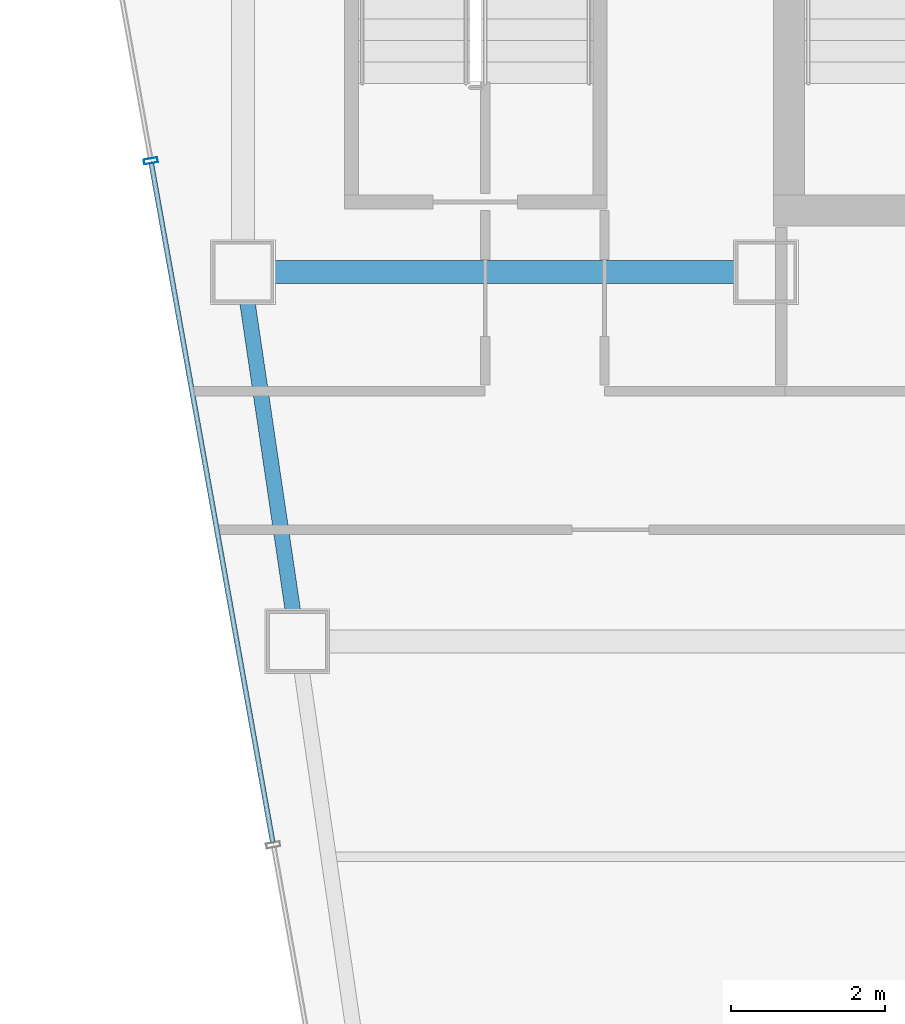
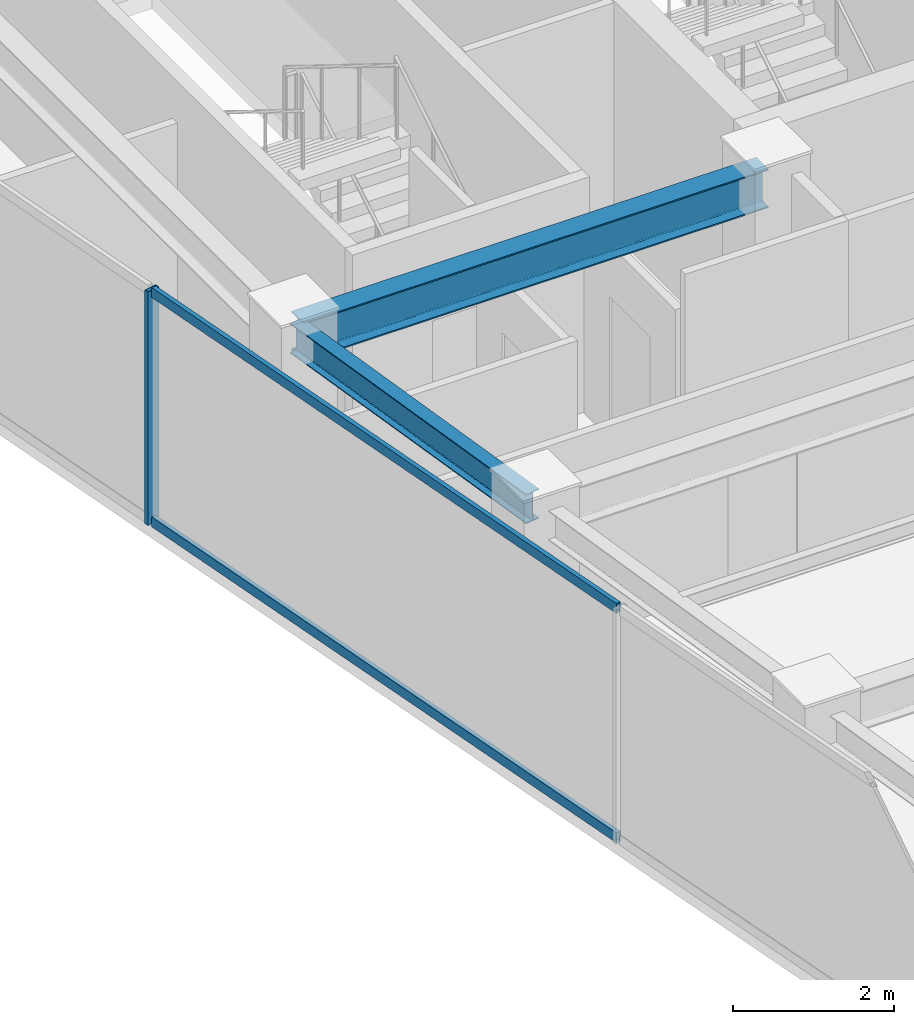
# One storey, part 9 of 32: 3 members, 2 beams, 1 element without a shape of its own.
"""IFC4 building model written with IfcOpenShell, lengths in metres."""

from ifc_helpers import new_model, si_unit, direction, frame, origin, origin_2d, place, context, subcontext, project, spatial, hollow_rectangle, i_section, extrude, material, material_profile, profile_set, type_object, element, aggregate, save


model = new_model("IFC4")

# Units and contexts
model_context = context("Model", 3, precision=1e-05, world=origin(), true_north=direction((0.0, 1.0)))
body_context = subcontext(model_context, "Body", "Model", "MODEL_VIEW")
ifc_project = project(units=[si_unit("LENGTHUNIT", "METRE"), si_unit("AREAUNIT", "SQUARE_METRE"), si_unit("VOLUMEUNIT", "CUBIC_METRE"), si_unit("PLANEANGLEUNIT", "RADIAN"), si_unit("MASSUNIT", "GRAM", prefix="KILO")], contexts=[model_context])

# Site, building, storey
site_placement = place(None, origin())
site = spatial("IfcSite", under=ifc_project, at=site_placement, CompositionType="ELEMENT")
building_placement = place(site_placement, origin())
building = spatial("IfcBuilding", under=site, at=building_placement, Name="Saevonmaru Cultural Tower", CompositionType="ELEMENT")
storey_placement = place(building_placement, frame((0.0, 0.0, 257.199951171875)))
storey = spatial("IfcBuildingStorey", under=building, at=storey_placement, Name="L60", CompositionType="ELEMENT", Elevation=257.199951171875)

# Beams
ifc_material_1 = material(Name="Steel SM355", Category="steel")
ifc_material_profile_1 = material_profile(ifc_material_1, i_section(OverallWidth=0.300048828125, OverallDepth=0.587890625, WebThickness=0.011962890625, FlangeThickness=0.02001953125, FilletRadius=0.02392578125, at=origin_2d()), Name="H-588x300x12x20")
ifc_profile_set_1 = profile_set([ifc_material_profile_1], Name="Steel SM355")
beam_type_1 = type_object("IfcBeamType", Name="BM-G-H588", PredefinedType="BEAM", material=ifc_profile_set_1)
beam_1_placement = place(storey_placement, frame((6.860107421875, 42.39990234375, 3.256103515625), z_axis=(1.0, 0.0, 0.0), x_axis=(0.0, 1.0, 0.0)))
element("IfcBeam", 1, at=beam_1_placement, inside=storey, type_object=beam_type_1, Name="L60 Core South Girder 1", PredefinedType="BEAM", context=body_context, shape_type="SweptSolid", body=[
    extrude(i_section(OverallWidth=0.300048828125, OverallDepth=0.587890625, WebThickness=0.011962890625, FlangeThickness=0.02001953125, FilletRadius=0.02392578125, at=origin_2d()), origin(), (0.0, 0.0, 1.0), 6.679931640625),
])
ifc_material_profile_2 = material_profile(ifc_material_1, i_section(OverallWidth=0.199951171875, OverallDepth=0.449951171875, WebThickness=0.009033203125, FlangeThickness=0.013916015625, FilletRadius=0.01806640625, at=origin_2d()), Name="H-450x200x9x14")
ifc_profile_set_2 = profile_set([ifc_material_profile_2], Name="Steel SM355")
beam_type_2 = type_object("IfcBeamType", Name="BM-SP-H450", PredefinedType="SPANDREL", material=ifc_profile_set_2)
beam_2_placement = place(storey_placement, frame((7.499267578125, 37.659423828125, 3.324951171875), z_axis=(-0.145912860028, 0.989297446312, 0.0), x_axis=(-0.989297446312, -0.145912860028, 0.0)))
element("IfcBeam", 2, at=beam_2_placement, inside=storey, type_object=beam_type_2, Name="L60 West Splayed Spandrel 3", PredefinedType="SPANDREL", context=body_context, shape_type="SweptSolid", body=[
    extrude(i_section(OverallWidth=0.199951171875, OverallDepth=0.449951171875, WebThickness=0.009033203125, FlangeThickness=0.013916015625, FilletRadius=0.01806640625, at=origin_2d()), origin(), (0.0, 0.0, 1.0), 4.731689453125),
])

# Curtain wall, members
ifc_material_2 = material(Name="Satin Bronze Anodised Aluminium", Category="aluminium")
curtain_wall_type = type_object("IfcCurtainWallType", Name="CW-TYP-B", PredefinedType="NOTDEFINED", material=ifc_material_2)
curtain_wall_placement = place(storey_placement, origin())
curtain_wall = element("IfcCurtainWall", 3, at=curtain_wall_placement, inside=storey, type_object=curtain_wall_type, Name="L60 Unitised Curtain Wall E12", PredefinedType="NOTDEFINED")
ifc_material_profile_3 = material_profile(ifc_material_2, hollow_rectangle(XDim=0.06494140625, YDim=0.179931640625, WallThickness=0.00390625, at=origin_2d()), Name="ALU-MULL-180x65x4")
ifc_profile_set_3 = profile_set([ifc_material_profile_3], Name="Satin Bronze Anodised Aluminium")
member_type_1 = type_object("IfcMemberType", Name="ML-CW-180x65", PredefinedType="MULLION", material=ifc_profile_set_3)
member_1_placement = place(storey_placement, frame((5.60205078125, 43.846923828125, 0.0), z_axis=(0.0, 0.0, 1.0), x_axis=(0.176140740755, -0.984364993001, 0.0)))
member_1 = element("IfcMember", 4, at=member_1_placement, type_object=member_type_1, Name="CW-TW-L60-E12 mullion 2", PredefinedType="MULLION", context=body_context, shape_type="SweptSolid", body=[
    extrude(hollow_rectangle(XDim=0.06494140625, YDim=0.179931640625, WallThickness=0.00390625, at=origin_2d()), origin(), (0.0, 0.0, 1.0), 3.550048828125),
])
ifc_material_profile_4 = material_profile(ifc_material_2, hollow_rectangle(XDim=0.06494140625, YDim=0.14990234375, WallThickness=0.00390625, at=origin_2d()), Name="ALU-TRAN-150x65x4")
ifc_profile_set_4 = profile_set([ifc_material_profile_4], Name="Satin Bronze Anodised Aluminium")
member_type_2 = type_object("IfcMemberType", Name="TR-CW-150x65", PredefinedType="USERDEFINED", material=ifc_profile_set_4)
member_2_placement = place(storey_placement, frame((5.60791015625, 43.81494140625, 0.032470703125), z_axis=(0.176123157264, -0.984368139202, 0.0), x_axis=(0.984368139202, 0.176123157264, 0.0)))
member_2 = element("IfcMember", 5, at=member_2_placement, type_object=member_type_2, Name="CW-TW-L60-E12 transom 2.1", ObjectType="TRANSOM", PredefinedType="USERDEFINED", context=body_context, shape_type="SweptSolid", body=[
    extrude(hollow_rectangle(XDim=0.06494140625, YDim=0.14990234375, WallThickness=0.00390625, at=origin_2d()), origin(), (0.0, 0.0, 1.0), 8.969970703125),
])
member_3_placement = place(storey_placement, frame((5.60791015625, 43.81494140625, 3.517578125), z_axis=(0.176123157264, -0.984368139202, 0.0), x_axis=(0.984368139202, 0.176123157264, 0.0)))
member_3 = element("IfcMember", 6, at=member_3_placement, type_object=member_type_2, Name="CW-TW-L60-E12 transom 2.2", ObjectType="TRANSOM", PredefinedType="USERDEFINED", context=body_context, shape_type="SweptSolid", body=[
    extrude(hollow_rectangle(XDim=0.06494140625, YDim=0.14990234375, WallThickness=0.00390625, at=origin_2d()), origin(), (0.0, 0.0, 1.0), 8.969970703125),
])
aggregate(curtain_wall, [member_1, member_2, member_3])

save(model, "model.ifc")
